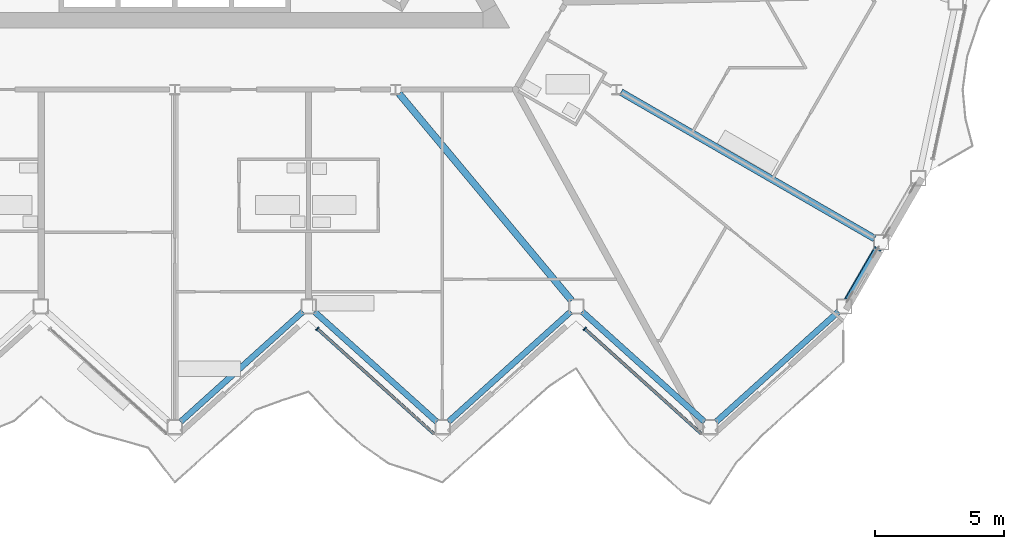
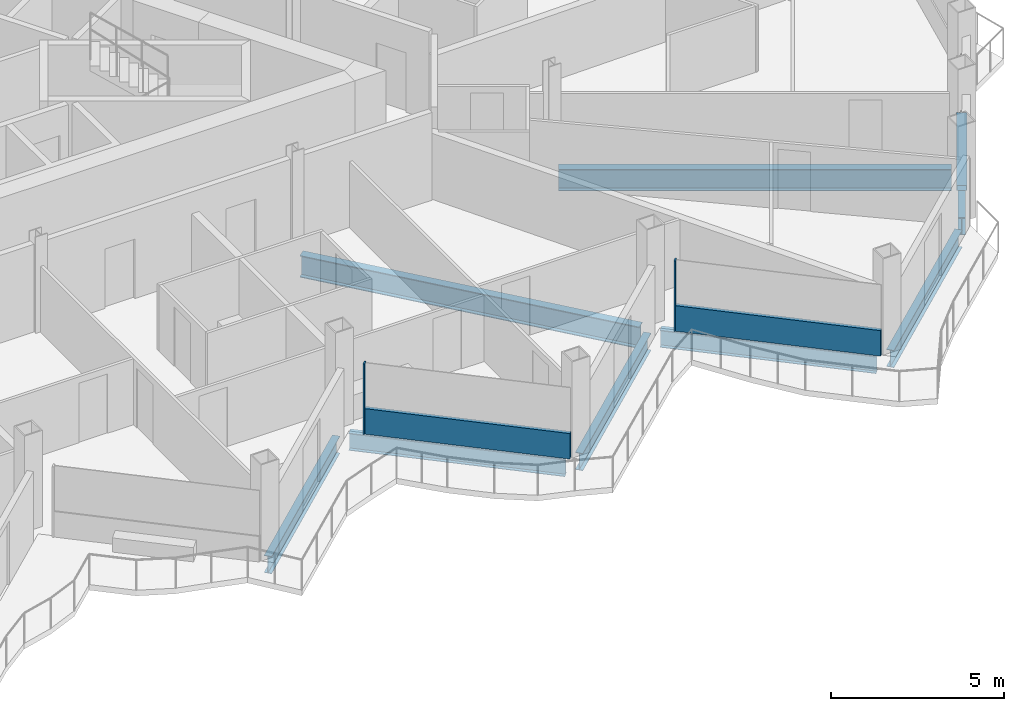
# One storey, part 7 of 27: 8 beams, 5 members, 2 elements without a shape of their own.
"""IFC4 building model written with IfcOpenShell, lengths in metres."""

from ifc_helpers import new_model, si_unit, direction, frame, origin, origin_2d, place, context, subcontext, project, spatial, rectangle, hollow_rectangle, i_section, extrude, material, layer, layer_set, material_profile, profile_set, type_object, element, aggregate, save


model = new_model("IFC4")

# Units and contexts
model_context = context("Model", 3, precision=1e-05, world=origin(), true_north=direction((0.0, 1.0)))
body_context = subcontext(model_context, "Body", "Model", "MODEL_VIEW")
ifc_project = project(units=[si_unit("LENGTHUNIT", "METRE"), si_unit("AREAUNIT", "SQUARE_METRE"), si_unit("VOLUMEUNIT", "CUBIC_METRE"), si_unit("PLANEANGLEUNIT", "RADIAN"), si_unit("MASSUNIT", "GRAM", prefix="KILO")], contexts=[model_context])

# Site, building, storey
site_placement = place(None, origin())
site = spatial("IfcSite", under=ifc_project, at=site_placement, CompositionType="ELEMENT")
building_placement = place(site_placement, origin())
building = spatial("IfcBuilding", under=site, at=building_placement, Name="Cormorant Prow Tower", CompositionType="ELEMENT")
storey_placement = place(building_placement, frame((0.0, 0.0, 315.39990234375)))
storey = spatial("IfcBuildingStorey", under=building, at=storey_placement, Name="L69", CompositionType="ELEMENT", Elevation=315.39990234375)

# Member
ifc_material_1 = material(Name="Structural steel ASTM A500 Gr C", Category="steel")
ifc_material_profile_1 = material_profile(ifc_material_1, hollow_rectangle(XDim=0.3046875, YDim=0.3046875, WallThickness=0.01171875, at=origin_2d()), Name="HSS12x12x1/2")
ifc_profile_set_1 = profile_set([ifc_material_profile_1], Name="Structural steel ASTM A500 Gr C")
member_type_1 = type_object("IfcMemberType", Name="Chamfer brace HSS12x12x1/2", PredefinedType="BRACE", material=ifc_profile_set_1)
member_1_placement = place(storey_placement, frame((26.15283203125, -18.05419921875, 0.7412109375), z_axis=(0.456265706889, 0.790324476185, 0.408911759503), x_axis=(-0.866038851724, 0.499976706761, 0.0)))
element("IfcMember", 1, at=member_1_placement, inside=storey, type_object=member_type_1, Name="Chamfer brace BR3 at ESE00 L69", PredefinedType="BRACE", context=body_context, shape_type="SweptSolid", body=[
    extrude(hollow_rectangle(XDim=0.3046875, YDim=0.3046875, WallThickness=0.01171875, at=origin_2d()), origin(), (0.0, 0.0, 1.0), 2.459228515625),
])

# Beams
ifc_material_2 = material(Name="Structural steel ASTM A992 Gr 50", Category="steel")
ifc_material_profile_2 = material_profile(ifc_material_2, i_section(OverallWidth=0.267822265625, OverallDepth=0.77001953125, WebThickness=0.015625, FlangeThickness=0.025390625, at=origin_2d()), Name="W30x132")
ifc_profile_set_2 = profile_set([ifc_material_profile_2], Name="Structural steel ASTM A992 Gr 50")
beam_type_1 = type_object("IfcBeamType", Name="Radial floor beam W30x132", PredefinedType="BEAM", material=ifc_profile_set_2)
beam_1_placement = place(storey_placement, frame((8.705078125, -10.057373046875, -0.684814453125), z_axis=(0.640239469619, -0.768175384624, 0.0), x_axis=(0.768175384624, 0.640239469619, 0.0)))
element("IfcBeam", 2, at=beam_1_placement, inside=storey, type_object=beam_type_1, Name="Radial floor beam FB3 8 L69", PredefinedType="BEAM", context=body_context, shape_type="SweptSolid", body=[
    extrude(i_section(OverallWidth=0.267822265625, OverallDepth=0.77001953125, WebThickness=0.015625, FlangeThickness=0.025390625, at=origin_2d()), origin(), (0.0, 0.0, 1.0), 10.465087890625),
])
beam_2_placement = place(storey_placement, frame((17.328125, -10.00439453125, -0.684814453125), z_axis=(0.866024637028, -0.500001328059, 0.0), x_axis=(0.500001328059, 0.866024637028, 0.0)))
element("IfcBeam", 3, at=beam_2_placement, inside=storey, type_object=beam_type_1, Name="Radial floor beam FB3 9 L69", PredefinedType="BEAM", context=body_context, shape_type="SweptSolid", body=[
    extrude(i_section(OverallWidth=0.267822265625, OverallDepth=0.77001953125, WebThickness=0.015625, FlangeThickness=0.025390625, at=origin_2d()), origin(), (0.0, 0.0, 1.0), 11.3671875),
])

# Curtain wall, member
ifc_material_3 = material(Name="Aluminium 6063-T6", Category="aluminium")
ifc_layer = layer(ifc_material_3, 0.159912109375)
ifc_layer_set = layer_set([ifc_layer], Name="Aluminium 6063-T6")
curtain_wall_type = type_object("IfcCurtainWallType", Name="Residential unitised curtain wall 160", PredefinedType="NOTDEFINED", material=ifc_layer_set)
curtain_wall_1_placement = place(storey_placement, origin())
curtain_wall_1 = element("IfcCurtainWall", 4, at=curtain_wall_1_placement, inside=storey, type_object=curtain_wall_type, Name="Residential curtain wall S06", PredefinedType="NOTDEFINED")
ifc_material_4 = material(Name="Aluminium 6063-T6", Category="aluminium")
ifc_material_profile_3 = material_profile(ifc_material_4, rectangle(XDim=0.159912109375, YDim=0.050048828125, at=origin_2d()), Name="Residential mullion 50x160")
ifc_profile_set_3 = profile_set([ifc_material_profile_3], Name="Aluminium 6063-T6")
member_type_2 = type_object("IfcMemberType", Name="Residential mullion 50x160", PredefinedType="MULLION", material=ifc_profile_set_3)
member_2_placement = place(storey_placement, frame((5.533935546875, -19.193603515625, 0.0), z_axis=(0.0, 0.0, 1.0), x_axis=(0.669130619757, 0.743144813413, 0.0)))
member_2 = element("IfcMember", 5, at=member_2_placement, type_object=member_type_2, Name="Residential mullion S06", PredefinedType="MULLION", context=body_context, shape_type="SweptSolid", body=[
    extrude(rectangle(XDim=0.159912109375, YDim=0.050048828125, at=origin_2d()), origin(), (0.0, 0.0, 1.0), 2.488037109375),
])

curtain_wall_2_placement = place(storey_placement, origin())
curtain_wall_2 = element("IfcCurtainWall", 6, at=curtain_wall_2_placement, inside=storey, type_object=curtain_wall_type, Name="Residential curtain wall S08", PredefinedType="NOTDEFINED")
member_3_placement = place(storey_placement, frame((15.919677734375, -19.193603515625, 0.0), z_axis=(0.0, 0.0, 1.0), x_axis=(0.669130619757, 0.743144813413, 0.0)))
member_3 = element("IfcMember", 7, at=member_3_placement, type_object=member_type_2, Name="Residential mullion S08", PredefinedType="MULLION", context=body_context, shape_type="SweptSolid", body=[
    extrude(rectangle(XDim=0.159912109375, YDim=0.050048828125, at=origin_2d()), origin(), (0.0, 0.0, 1.0), 2.488037109375),
])

# Member
ifc_material_5 = material(Name="Terracotta", Category="masonry")
ifc_material_profile_4 = material_profile(ifc_material_5, rectangle(XDim=0.1201171875, YDim=0.89990234375, at=origin_2d()), Name="Residential terracotta spandrel rail 120x900")
ifc_profile_set_4 = profile_set([ifc_material_profile_4], Name="Terracotta")
member_type_3 = type_object("IfcMemberType", Name="Residential terracotta spandrel rail 120x900", PredefinedType="USERDEFINED", material=ifc_profile_set_4)
member_4_placement = place(storey_placement, frame((5.552490234375, -19.21044921875, 0.4501953125), z_axis=(0.743162128872, -0.669111388492, 0.0), x_axis=(0.669111388492, 0.743162128872, 0.0)))
member_4 = element("IfcMember", 8, at=member_4_placement, type_object=member_type_3, Name="Residential spandrel rail S06", ObjectType="TRANSOM", PredefinedType="USERDEFINED", context=body_context, shape_type="SweptSolid", body=[
    extrude(rectangle(XDim=0.1201171875, YDim=0.89990234375, at=origin_2d()), origin(), (0.0, 0.0, 1.0), 6.069580078125),
])

aggregate(curtain_wall_1, [member_2, member_4])

member_5_placement = place(storey_placement, frame((15.938232421875, -19.21044921875, 0.4501953125), z_axis=(0.743144119775, -0.66913139012, 0.0), x_axis=(0.66913139012, 0.743144119775, 0.0)))
member_5 = element("IfcMember", 9, at=member_5_placement, type_object=member_type_3, Name="Residential spandrel rail S08", ObjectType="TRANSOM", PredefinedType="USERDEFINED", context=body_context, shape_type="SweptSolid", body=[
    extrude(rectangle(XDim=0.1201171875, YDim=0.89990234375, at=origin_2d()), origin(), (0.0, 0.0, 1.0), 6.069580078125),
])

aggregate(curtain_wall_2, [member_3, member_5])

# Beams
ifc_material_6 = material(Name="Structural steel ASTM A992 Gr 50", Category="steel")
ifc_material_profile_5 = material_profile(ifc_material_6, i_section(OverallWidth=0.22900390625, OverallDepth=0.612060546875, WebThickness=0.011962890625, FlangeThickness=0.01953125, at=origin_2d()), Name="W24x84")
ifc_profile_set_5 = profile_set([ifc_material_profile_5], Name="Structural steel ASTM A992 Gr 50")
beam_type_2 = type_object("IfcBeamType", Name="Spandrel beam W24x84", PredefinedType="SPANDREL", material=ifc_profile_set_5)
for number, where, z_axis, x_axis, name in (
    (10, (0.222900390625, -22.807373046875, -0.60595703125), (0.743144186555, 0.669131315954, 0.0), (-0.669131315954, 0.743144186555, 0.0), "Spandrel beam SB3 S05-S06 L69"),
    (11, (5.422119140625, -18.527587890625, -0.60595703125), (0.743144186555, -0.669131315954, 0.0), (0.669131315954, 0.743144186555, 0.0), "Spandrel beam SB3 S06-S07 L69"),
    (12, (10.62109375, -22.807373046875, -0.60595703125), (0.743144186555, 0.669131315954, 0.0), (-0.669131315954, 0.743144186555, 0.0), "Spandrel beam SB3 S07-S08 L69"),
):
    element("IfcBeam", number, at=place(storey_placement, frame(where, z_axis=z_axis, x_axis=x_axis)), inside=storey, type_object=beam_type_2, Name=name, PredefinedType="SPANDREL", context=body_context, shape_type="SweptSolid", body=[
        extrude(i_section(OverallWidth=0.22900390625, OverallDepth=0.612060546875, WebThickness=0.011962890625, FlangeThickness=0.01953125, at=origin_2d()), origin(), (0.0, 0.0, 1.0), 6.39599609375),
    ])
beam_3_placement = place(storey_placement, frame((15.820068359375, -18.527587890625, -0.60595703125), z_axis=(0.743161276225, -0.669112335502, 0.0), x_axis=(0.669112335502, 0.743161276225, 0.0)))
element("IfcBeam", 13, at=beam_3_placement, inside=storey, type_object=beam_type_2, Name="Spandrel beam SB3 S08-S09 L69", PredefinedType="SPANDREL", context=body_context, shape_type="SweptSolid", body=[
    extrude(i_section(OverallWidth=0.22900390625, OverallDepth=0.612060546875, WebThickness=0.011962890625, FlangeThickness=0.01953125, at=origin_2d()), origin(), (0.0, 0.0, 1.0), 6.396240234375),
])
beam_4_placement = place(storey_placement, frame((21.019287109375, -22.807373046875, -0.60595703125), z_axis=(0.743144186555, 0.669131315954, 0.0), x_axis=(-0.669131315954, 0.743144186555, 0.0)))
element("IfcBeam", 14, at=beam_4_placement, inside=storey, type_object=beam_type_2, Name="Spandrel beam SB3 S09-ESE00 L69", PredefinedType="SPANDREL", context=body_context, shape_type="SweptSolid", body=[
    extrude(i_section(OverallWidth=0.22900390625, OverallDepth=0.612060546875, WebThickness=0.011962890625, FlangeThickness=0.01953125, at=origin_2d()), origin(), (0.0, 0.0, 1.0), 6.39599609375),
])
beam_5_placement = place(storey_placement, frame((26.1455078125, -18.06689453125, -0.60595703125), z_axis=(0.49997342893, 0.866040744055, 0.0), x_axis=(-0.866040744055, 0.49997342893, 0.0)))
element("IfcBeam", 15, at=beam_5_placement, inside=storey, type_object=beam_type_2, Name="Spandrel beam SB3 ESE00-ESE01 L69", PredefinedType="SPANDREL", context=body_context, shape_type="SweptSolid", body=[
    extrude(i_section(OverallWidth=0.22900390625, OverallDepth=0.612060546875, WebThickness=0.011962890625, FlangeThickness=0.01953125, at=origin_2d()), origin(), (0.0, 0.0, 1.0), 2.2734375),
])

save(model, "model.ifc")
